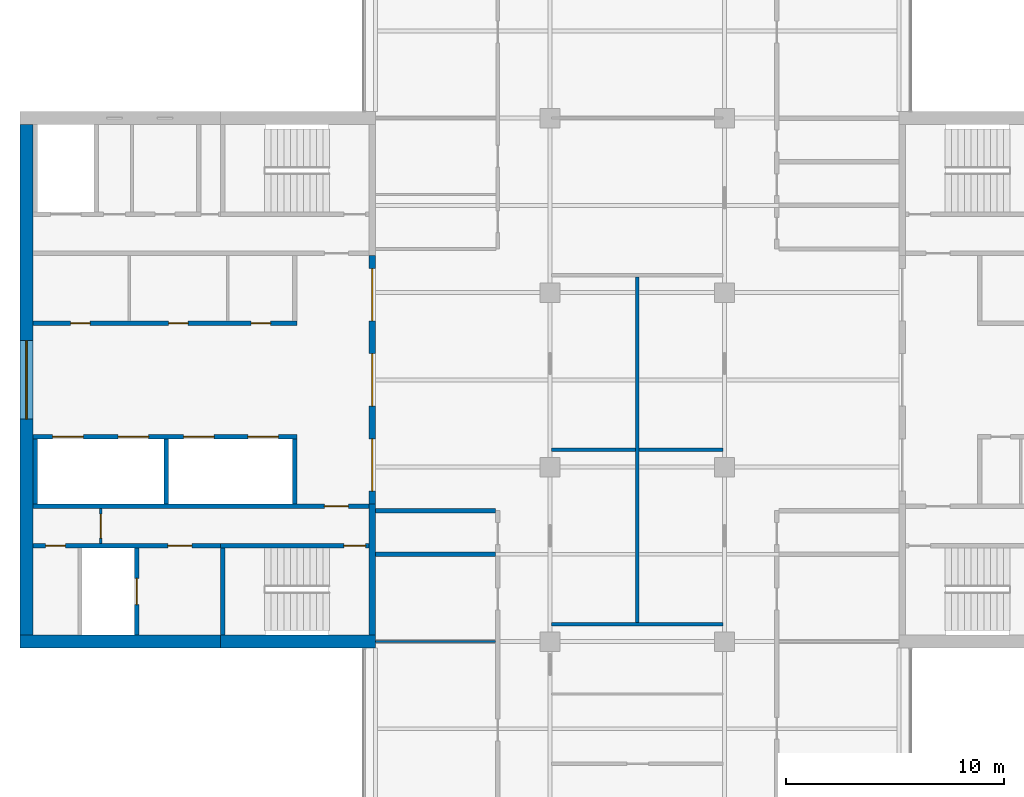
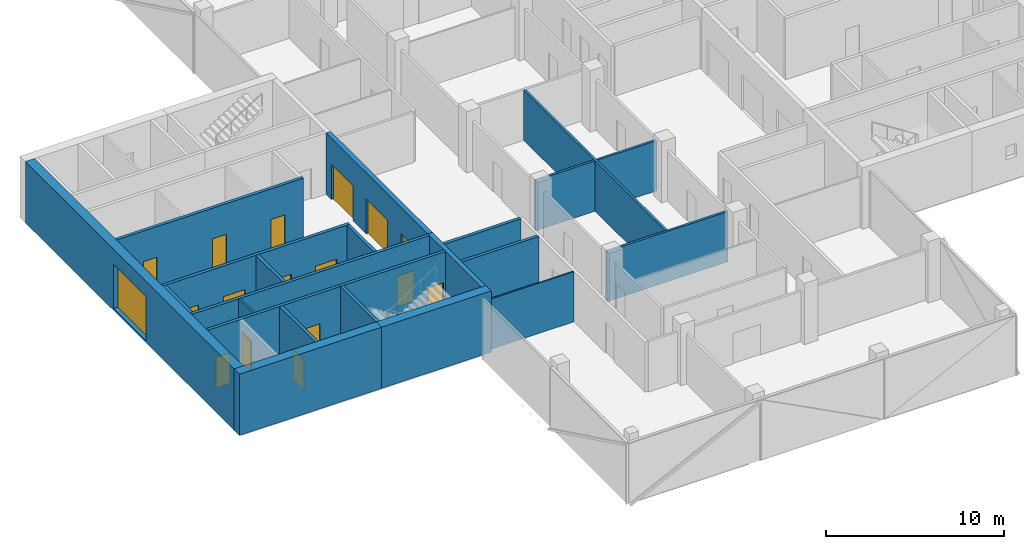
# One storey, part 9 of 16: 23 walls, 16 doors, 1 window, 17 openings.
"""IFC4 building model written with IfcOpenShell, lengths in metres."""

from ifc_helpers import new_model, si_unit, direction, frame, frame_2d, origin, place, context, subcontext, project, spatial, rectangle, extrude, material, layer, layer_set, constituent, constituent_set, type_object, element, fill, save


model = new_model("IFC4")

# Units and contexts
model_context = context("Model", 3, precision=1e-05, world=origin(), true_north=direction((0.0, 1.0)))
body_context = subcontext(model_context, "Body", "Model", "MODEL_VIEW")
ifc_project = project(units=[si_unit("LENGTHUNIT", "METRE"), si_unit("AREAUNIT", "SQUARE_METRE"), si_unit("VOLUMEUNIT", "CUBIC_METRE"), si_unit("PLANEANGLEUNIT", "RADIAN"), si_unit("MASSUNIT", "GRAM", prefix="KILO")], contexts=[model_context])

# Site, building, storey
site_placement = place(None, origin())
site = spatial("IfcSite", under=ifc_project, at=site_placement, CompositionType="ELEMENT")
building_placement = place(site_placement, origin())
building = spatial("IfcBuilding", under=site, at=building_placement, Name="Crosswind Convention Tower", CompositionType="ELEMENT")
storey_placement = place(building_placement, frame((0.0, 0.0, 216.699951171875)))
storey = spatial("IfcBuildingStorey", under=building, at=storey_placement, Name="L46", CompositionType="ELEMENT", Elevation=216.699951171875)

# Walls
ifc_material_1 = material(Name="Concrete blockwork", Category="masonry")
ifc_layer_1 = layer(ifc_material_1, 0.199951171875)
ifc_layer_set_1 = layer_set([ifc_layer_1], Name="COMPARTMENT WALL 200 BLOCKWORK")
wall_type_1 = type_object("IfcWallType", Name="COMPARTMENT WALL 200 BLOCKWORK", PredefinedType="SOLIDWALL", material=ifc_layer_set_1)
for number, where, z_axis, x_axis, name in (
    (1, (113.0, 92.0, 0.0), (0.0, 0.0, 1.0), (1.0, 0.0, 0.0), "Compartment wall WT42"),
    (2, (113.0, 94.0, 0.0), (0.0, 0.0, 1.0), (1.0, 0.0, 0.0), "Compartment wall WT42"),
):
    element("IfcWall", number, at=place(storey_placement, frame(where, z_axis=z_axis, x_axis=x_axis)), inside=storey, type_object=wall_type_1, Name=name, PredefinedType="SOLIDWALL", context=body_context, shape_type="SweptSolid", body=[
        extrude(rectangle(XDim=5.5, YDim=0.199951171875, at=frame_2d((2.75, 0.0))), origin(), (0.0, 0.0, 1.0), 3.43994140625),
    ])

# Wall, openings, doors
ifc_material_2 = material(Name="Concrete C50/60", Category="concrete")
ifc_layer_2 = layer(ifc_material_2, 0.300048828125)
ifc_layer_set_2 = layer_set([ifc_layer_2], Name="Concrete C50/60")
wall_type_2 = type_object("IfcWallType", Name="Concrete inner core wall 300", PredefinedType="SHEAR", material=ifc_layer_set_2)
wall_1_placement = place(storey_placement, frame((112.85009765625, 105.699951171875, 0.0), z_axis=(0.0, 0.0, 1.0), x_axis=(0.0, -1.0, 0.0)))
wall_1 = element("IfcWall", 3, at=wall_1_placement, inside=storey, type_object=wall_type_2, Name="Wall SCR W L46", PredefinedType="SHEAR", context=body_context, shape_type="SweptSolid", body=[
    extrude(rectangle(XDim=11.39990234375, YDim=0.300048828125, at=frame_2d((5.699951171875, 0.0))), origin(), (0.0, 0.0, 1.0), 4.199951171875),
])
opening_1_placement = place(wall_1_placement, frame((0.60009765625, 0.0, 0.0)))
opening_1 = element("IfcOpeningElement", 4, at=opening_1_placement, cuts=wall_1, Name="Opening D100", PredefinedType="OPENING", context=body_context, shape_type="SweptSolid", body=[
    extrude(rectangle(XDim=2.39990234375, YDim=2.39990234375, at=frame_2d((1.199951171875, 1.199951171875))), frame((0.0, 0.159912109375, 0.0), z_axis=(0.0, -1.0, 0.0), x_axis=(1.0, 0.0, 0.0)), (0.0, 0.0, 1.0), 0.320068359375),
])
opening_2_placement = place(wall_1_placement, frame((4.5, 0.0, 0.0)))
opening_2 = element("IfcOpeningElement", 5, at=opening_2_placement, cuts=wall_1, Name="Opening D100", PredefinedType="OPENING", context=body_context, shape_type="SweptSolid", body=[
    extrude(rectangle(XDim=2.39990234375, YDim=2.39990234375, at=frame_2d((1.199951171875, 1.199951171875))), frame((0.0, 0.159912109375, 0.0), z_axis=(0.0, -1.0, 0.0), x_axis=(1.0, 0.0, 0.0)), (0.0, 0.0, 1.0), 0.320068359375),
])
opening_3_placement = place(wall_1_placement, frame((8.39990234375, 0.0, 0.0)))
opening_3 = element("IfcOpeningElement", 6, at=opening_3_placement, cuts=wall_1, Name="Opening D100", PredefinedType="OPENING", context=body_context, shape_type="SweptSolid", body=[
    extrude(rectangle(XDim=2.39990234375, YDim=2.39990234375, at=frame_2d((1.199951171875, 1.199951171875))), frame((0.0, 0.159912109375, 0.0), z_axis=(0.0, -1.0, 0.0), x_axis=(1.0, 0.0, 0.0)), (0.0, 0.0, 1.0), 0.320068359375),
])
ifc_material_3 = material(Name="Steel fire door with glazed vision panels", Category="steel")
door_type_1 = type_object("IfcDoorType", Name="Fire-rated double door 2400x2400", OperationType="DOUBLE_DOOR_SINGLE_SWING", PredefinedType="DOOR", material=ifc_material_3)
door_1_placement = place(opening_1_placement, origin())
door_1 = element("IfcDoor", 7, at=door_1_placement, inside=storey, type_object=door_type_1, Name="Lobby door 1 L46", ObjectType="D100", OperationType="DOUBLE_DOOR_SINGLE_SWING", OverallHeight=2.39990234375, OverallWidth=2.39990234375, PredefinedType="DOOR", context=body_context, shape_type="SweptSolid", body=[
    extrude(rectangle(XDim=2.39990234375, YDim=2.39990234375, at=frame_2d((1.199951171875, 1.199951171875))), frame((0.0, 0.02490234375, 0.0), z_axis=(0.0, -1.0, 0.0), x_axis=(1.0, 0.0, 0.0)), (0.0, 0.0, 1.0), 0.050048828125),
])
fill(opening_1, door_1)
door_2_placement = place(opening_2_placement, origin())
door_2 = element("IfcDoor", 8, at=door_2_placement, inside=storey, type_object=door_type_1, Name="Lobby door 2 L46", ObjectType="D100", OperationType="DOUBLE_DOOR_SINGLE_SWING", OverallHeight=2.39990234375, OverallWidth=2.39990234375, PredefinedType="DOOR", context=body_context, shape_type="SweptSolid", body=[
    extrude(rectangle(XDim=2.39990234375, YDim=2.39990234375, at=frame_2d((1.199951171875, 1.199951171875))), frame((0.0, 0.02490234375, 0.0), z_axis=(0.0, -1.0, 0.0), x_axis=(1.0, 0.0, 0.0)), (0.0, 0.0, 1.0), 0.050048828125),
])
fill(opening_2, door_2)
door_3_placement = place(opening_3_placement, origin())
door_3 = element("IfcDoor", 9, at=door_3_placement, inside=storey, type_object=door_type_1, Name="Lobby door 3 L46", ObjectType="D100", OperationType="DOUBLE_DOOR_SINGLE_SWING", OverallHeight=2.39990234375, OverallWidth=2.39990234375, PredefinedType="DOOR", context=body_context, shape_type="SweptSolid", body=[
    extrude(rectangle(XDim=2.39990234375, YDim=2.39990234375, at=frame_2d((1.199951171875, 1.199951171875))), frame((0.0, 0.02490234375, 0.0), z_axis=(0.0, -1.0, 0.0), x_axis=(1.0, 0.0, 0.0)), (0.0, 0.0, 1.0), 0.050048828125),
])
fill(opening_3, door_3)

# Walls
wall_2_placement = place(storey_placement, frame((112.85009765625, 94.300048828125, 0.0), z_axis=(0.0, 0.0, 1.0), x_axis=(0.0, -1.0, 0.0)))
element("IfcWall", 10, at=wall_2_placement, inside=storey, type_object=wall_type_2, Name="Wall EP W L46", PredefinedType="SHEAR", context=body_context, shape_type="SweptSolid", body=[
    extrude(rectangle(XDim=6.0, YDim=0.300048828125, at=frame_2d((3.0, 0.0))), origin(), (0.0, 0.0, 1.0), 4.199951171875),
])
ifc_layer_3 = layer(ifc_material_2, 0.199951171875)
ifc_layer_set_3 = layer_set([ifc_layer_3], Name="Concrete C50/60")
wall_type_3 = type_object("IfcWallType", Name="Concrete shaft and stair wall 200", PredefinedType="SHEAR", material=ifc_layer_set_3)
for number, where, z_axis, x_axis, name in (
    (11, (109.300048828125, 97.300048828125, 0.0), (0.0, 0.0, 1.0), (0.0, -1.0, 0.0), "Wall RPEND W L46"),
    (12, (103.39990234375, 97.300048828125, 0.0), (0.0, 0.0, 1.0), (0.0, -1.0, 0.0), "Wall RPSEP W L46"),
    (13, (97.39990234375, 97.300048828125, 0.0), (0.0, 0.0, 1.0), (0.0, -1.0, 0.0), "Wall RPEAST W L46"),
):
    element("IfcWall", number, at=place(storey_placement, frame(where, z_axis=z_axis, x_axis=x_axis)), inside=storey, type_object=wall_type_3, Name=name, PredefinedType="SHEAR", context=body_context, shape_type="SweptSolid", body=[
        extrude(rectangle(XDim=3.0, YDim=0.199951171875, at=frame_2d((1.5, 0.0))), origin(), (0.0, 0.0, 1.0), 4.199951171875),
    ])

# Wall, openings, doors
wall_3_placement = place(storey_placement, frame((109.39990234375, 97.39990234375, 0.0), z_axis=(0.0, 0.0, 1.0), x_axis=(-1.0, 0.0, 0.0)))
wall_3 = element("IfcWall", 14, at=wall_3_placement, inside=storey, type_object=wall_type_3, Name="Wall RPFRONT W L46", PredefinedType="SHEAR", context=body_context, shape_type="SweptSolid", body=[
    extrude(rectangle(XDim=12.099853515625, YDim=0.199951171875, at=frame_2d((6.0498046875, 0.0))), origin(), (0.0, 0.0, 1.0), 4.199951171875),
])
opening_4_placement = place(wall_3_placement, frame((0.85009765625, 0.0, 0.0)))
opening_4 = element("IfcOpeningElement", 15, at=opening_4_placement, cuts=wall_3, Name="Opening LD2", PredefinedType="OPENING", context=body_context, shape_type="SweptSolid", body=[
    extrude(rectangle(XDim=1.39990234375, YDim=2.10009765625, at=frame_2d((0.699951171875, 1.050048828125))), frame((0.0, 0.10986328125, 0.0), z_axis=(0.0, -1.0, 0.0), x_axis=(1.0, 0.0, 0.0)), (0.0, 0.0, 1.0), 0.219970703125),
])
opening_5_placement = place(wall_3_placement, frame((3.800048828125, 0.0, 0.0)))
opening_5 = element("IfcOpeningElement", 16, at=opening_5_placement, cuts=wall_3, Name="Opening LD2", PredefinedType="OPENING", context=body_context, shape_type="SweptSolid", body=[
    extrude(rectangle(XDim=1.39990234375, YDim=2.10009765625, at=frame_2d((0.699951171875, 1.050048828125))), frame((0.0, 0.10986328125, 0.0), z_axis=(0.0, -1.0, 0.0), x_axis=(1.0, 0.0, 0.0)), (0.0, 0.0, 1.0), 0.219970703125),
])
opening_6_placement = place(wall_3_placement, frame((6.800048828125, 0.0, 0.0)))
opening_6 = element("IfcOpeningElement", 17, at=opening_6_placement, cuts=wall_3, Name="Opening LD2", PredefinedType="OPENING", context=body_context, shape_type="SweptSolid", body=[
    extrude(rectangle(XDim=1.39990234375, YDim=2.10009765625, at=frame_2d((0.699951171875, 1.050048828125))), frame((0.0, 0.10986328125, 0.0), z_axis=(0.0, -1.0, 0.0), x_axis=(1.0, 0.0, 0.0)), (0.0, 0.0, 1.0), 0.219970703125),
])
opening_7_placement = place(wall_3_placement, frame((9.800048828125, 0.0, 0.0)))
opening_7 = element("IfcOpeningElement", 18, at=opening_7_placement, cuts=wall_3, Name="Opening LD2", PredefinedType="OPENING", context=body_context, shape_type="SweptSolid", body=[
    extrude(rectangle(XDim=1.39990234375, YDim=2.10009765625, at=frame_2d((0.699951171875, 1.050048828125))), frame((0.0, 0.10986328125, 0.0), z_axis=(0.0, -1.0, 0.0), x_axis=(1.0, 0.0, 0.0)), (0.0, 0.0, 1.0), 0.219970703125),
])
ifc_material_4 = material(Name="Stainless steel", Category="steel")
door_type_2 = type_object("IfcDoorType", Name="Lift landing door 1400x2100", OperationType="DOUBLE_DOOR_SLIDING", PredefinedType="DOOR", material=ifc_material_4)
door_4_placement = place(opening_4_placement, origin())
door_4 = element("IfcDoor", 19, at=door_4_placement, inside=storey, type_object=door_type_2, Name="Landing door HR1 L46", ObjectType="LD2", OperationType="DOUBLE_DOOR_SLIDING", OverallHeight=2.10009765625, OverallWidth=1.39990234375, PredefinedType="DOOR", context=body_context, shape_type="SweptSolid", body=[
    extrude(rectangle(XDim=1.39990234375, YDim=2.10009765625, at=frame_2d((0.699951171875, 1.050048828125))), frame((0.0, 0.02490234375, 0.0), z_axis=(0.0, -1.0, 0.0), x_axis=(1.0, 0.0, 0.0)), (0.0, 0.0, 1.0), 0.050048828125),
])
fill(opening_4, door_4)
door_5_placement = place(opening_5_placement, origin())
door_5 = element("IfcDoor", 20, at=door_5_placement, inside=storey, type_object=door_type_2, Name="Landing door HR2 L46", ObjectType="LD2", OperationType="DOUBLE_DOOR_SLIDING", OverallHeight=2.10009765625, OverallWidth=1.39990234375, PredefinedType="DOOR", context=body_context, shape_type="SweptSolid", body=[
    extrude(rectangle(XDim=1.39990234375, YDim=2.10009765625, at=frame_2d((0.699951171875, 1.050048828125))), frame((0.0, 0.02490234375, 0.0), z_axis=(0.0, -1.0, 0.0), x_axis=(1.0, 0.0, 0.0)), (0.0, 0.0, 1.0), 0.050048828125),
])
fill(opening_5, door_5)
door_6_placement = place(opening_6_placement, origin())
door_6 = element("IfcDoor", 21, at=door_6_placement, inside=storey, type_object=door_type_2, Name="Landing door HR3 L46", ObjectType="LD2", OperationType="DOUBLE_DOOR_SLIDING", OverallHeight=2.10009765625, OverallWidth=1.39990234375, PredefinedType="DOOR", context=body_context, shape_type="SweptSolid", body=[
    extrude(rectangle(XDim=1.39990234375, YDim=2.10009765625, at=frame_2d((0.699951171875, 1.050048828125))), frame((0.0, 0.02490234375, 0.0), z_axis=(0.0, -1.0, 0.0), x_axis=(1.0, 0.0, 0.0)), (0.0, 0.0, 1.0), 0.050048828125),
])
fill(opening_6, door_6)
door_7_placement = place(opening_7_placement, origin())
door_7 = element("IfcDoor", 22, at=door_7_placement, inside=storey, type_object=door_type_2, Name="Landing door HR4 L46", ObjectType="LD2", OperationType="DOUBLE_DOOR_SLIDING", OverallHeight=2.10009765625, OverallWidth=1.39990234375, PredefinedType="DOOR", context=body_context, shape_type="SweptSolid", body=[
    extrude(rectangle(XDim=1.39990234375, YDim=2.10009765625, at=frame_2d((0.699951171875, 1.050048828125))), frame((0.0, 0.02490234375, 0.0), z_axis=(0.0, -1.0, 0.0), x_axis=(1.0, 0.0, 0.0)), (0.0, 0.0, 1.0), 0.050048828125),
])
fill(opening_7, door_7)

wall_4_placement = place(storey_placement, frame((109.39990234375, 102.60009765625, 0.0), z_axis=(0.0, 0.0, 1.0), x_axis=(-1.0, 0.0, 0.0)))
wall_4 = element("IfcWall", 23, at=wall_4_placement, inside=storey, type_object=wall_type_3, Name="Wall RMFRONT W L46", PredefinedType="SHEAR", context=body_context, shape_type="SweptSolid", body=[
    extrude(rectangle(XDim=12.099853515625, YDim=0.199951171875, at=frame_2d((6.0498046875, 0.0))), origin(), (0.0, 0.0, 1.0), 4.199951171875),
])
opening_8_placement = place(wall_4_placement, frame((1.206298828125, 0.0, 0.0)))
opening_8 = element("IfcOpeningElement", 24, at=opening_8_placement, cuts=wall_4, Name="Opening D106", PredefinedType="OPENING", context=body_context, shape_type="SweptSolid", body=[
    extrude(rectangle(XDim=0.89990234375, YDim=2.10009765625, at=frame_2d((0.449951171875, 1.050048828125))), frame((0.0, 0.10986328125, 0.0), z_axis=(0.0, -1.0, 0.0), x_axis=(1.0, 0.0, 0.0)), (0.0, 0.0, 1.0), 0.219970703125),
])
opening_9_placement = place(wall_4_placement, frame((4.986083984375, 0.0, 0.0)))
opening_9 = element("IfcOpeningElement", 25, at=opening_9_placement, cuts=wall_4, Name="Opening D106", PredefinedType="OPENING", context=body_context, shape_type="SweptSolid", body=[
    extrude(rectangle(XDim=0.89990234375, YDim=2.10009765625, at=frame_2d((0.449951171875, 1.050048828125))), frame((0.0, 0.10986328125, 0.0), z_axis=(0.0, -1.0, 0.0), x_axis=(1.0, 0.0, 0.0)), (0.0, 0.0, 1.0), 0.219970703125),
])
opening_10_placement = place(wall_4_placement, frame((9.479736328125, 0.0, 0.0)))
opening_10 = element("IfcOpeningElement", 26, at=opening_10_placement, cuts=wall_4, Name="Opening D106", PredefinedType="OPENING", context=body_context, shape_type="SweptSolid", body=[
    extrude(rectangle(XDim=0.89990234375, YDim=2.10009765625, at=frame_2d((0.449951171875, 1.050048828125))), frame((0.0, 0.10986328125, 0.0), z_axis=(0.0, -1.0, 0.0), x_axis=(1.0, 0.0, 0.0)), (0.0, 0.0, 1.0), 0.219970703125),
])
ifc_material_5 = material(Name="Timber door", Category="wood")
door_type_3 = type_object("IfcDoorType", Name="Single leaf door 900x2100", OperationType="NOTDEFINED", PredefinedType="DOOR", material=ifc_material_5)
door_8_placement = place(opening_8_placement, frame((0.89990234375, 0.0, 0.0), z_axis=(0.0, 0.0, 1.0), x_axis=(-1.0, 0.0, 0.0)))
door_8 = element("IfcDoor", 27, at=door_8_placement, inside=storey, type_object=door_type_3, Name="Door to copy and print room L46", ObjectType="D106", OperationType="SINGLE_SWING_LEFT", OverallHeight=2.10009765625, OverallWidth=0.89990234375, PredefinedType="DOOR", context=body_context, shape_type="SweptSolid", body=[
    extrude(rectangle(XDim=0.89990234375, YDim=2.10009765625, at=frame_2d((0.449951171875, 1.050048828125))), frame((0.0, 0.02490234375, 0.0), z_axis=(0.0, -1.0, 0.0), x_axis=(1.0, 0.0, 0.0)), (0.0, 0.0, 1.0), 0.050048828125),
])
fill(opening_8, door_8)
door_9_placement = place(opening_9_placement, frame((0.89990234375, 0.0, 0.0), z_axis=(0.0, 0.0, 1.0), x_axis=(-1.0, 0.0, 0.0)))
door_9 = element("IfcDoor", 28, at=door_9_placement, inside=storey, type_object=door_type_3, Name="Door to meeting room L46", ObjectType="D106", OperationType="SINGLE_SWING_LEFT", OverallHeight=2.10009765625, OverallWidth=0.89990234375, PredefinedType="DOOR", context=body_context, shape_type="SweptSolid", body=[
    extrude(rectangle(XDim=0.89990234375, YDim=2.10009765625, at=frame_2d((0.449951171875, 1.050048828125))), frame((0.0, 0.02490234375, 0.0), z_axis=(0.0, -1.0, 0.0), x_axis=(1.0, 0.0, 0.0)), (0.0, 0.0, 1.0), 0.050048828125),
])
fill(opening_9, door_9)
door_10_placement = place(opening_10_placement, frame((0.89990234375, 0.0, 0.0), z_axis=(0.0, 0.0, 1.0), x_axis=(-1.0, 0.0, 0.0)))
door_10 = element("IfcDoor", 29, at=door_10_placement, inside=storey, type_object=door_type_3, Name="Door to pantry L46", ObjectType="D106", OperationType="SINGLE_SWING_LEFT", OverallHeight=2.10009765625, OverallWidth=0.89990234375, PredefinedType="DOOR", context=body_context, shape_type="SweptSolid", body=[
    extrude(rectangle(XDim=0.89990234375, YDim=2.10009765625, at=frame_2d((0.449951171875, 1.050048828125))), frame((0.0, 0.02490234375, 0.0), z_axis=(0.0, -1.0, 0.0), x_axis=(1.0, 0.0, 0.0)), (0.0, 0.0, 1.0), 0.050048828125),
])
fill(opening_10, door_10)

# Wall, opening, door
wall_5_placement = place(storey_placement, frame((112.699951171875, 94.199951171875, 0.0), z_axis=(0.0, 0.0, 1.0), x_axis=(-1.0, 0.0, 0.0)))
wall_5 = element("IfcWall", 30, at=wall_5_placement, inside=storey, type_object=wall_type_3, Name="Wall HP W L46", PredefinedType="SHEAR", context=body_context, shape_type="SweptSolid", body=[
    extrude(rectangle(XDim=15.39990234375, YDim=0.199951171875, at=frame_2d((7.699951171875, 0.0))), origin(), (0.0, 0.0, 1.0), 4.199951171875),
])
opening_11_placement = place(wall_5_placement, frame((0.949951171875, 0.0, 0.0)))
opening_11 = element("IfcOpeningElement", 31, at=opening_11_placement, cuts=wall_5, Name="Opening D104", PredefinedType="OPENING", context=body_context, shape_type="SweptSolid", body=[
    extrude(rectangle(XDim=1.10009765625, YDim=2.10009765625, at=frame_2d((0.550048828125, 1.050048828125))), frame((0.0, 0.10986328125, 0.0), z_axis=(0.0, -1.0, 0.0), x_axis=(1.0, 0.0, 0.0)), (0.0, 0.0, 1.0), 0.219970703125),
])
ifc_material_6 = material(Name="Steel fire door", Category="steel")
door_type_4 = type_object("IfcDoorType", Name="Fire-rated single door 1100x2100", OperationType="NOTDEFINED", PredefinedType="DOOR", material=ifc_material_6)
door_11_placement = place(opening_11_placement, origin())
door_11 = element("IfcDoor", 32, at=door_11_placement, inside=storey, type_object=door_type_4, Name="Corridor door L46", ObjectType="D104", OperationType="SINGLE_SWING_LEFT", OverallHeight=2.10009765625, OverallWidth=1.10009765625, PredefinedType="DOOR", context=body_context, shape_type="SweptSolid", body=[
    extrude(rectangle(XDim=1.10009765625, YDim=2.10009765625, at=frame_2d((0.550048828125, 1.050048828125))), frame((0.0, 0.02490234375, 0.0), z_axis=(0.0, -1.0, 0.0), x_axis=(1.0, 0.0, 0.0)), (0.0, 0.0, 1.0), 0.050048828125),
])
fill(opening_11, door_11)

# Wall
wall_6_placement = place(storey_placement, frame((106.0, 92.300048828125, 0.0), z_axis=(0.0, 0.0, 1.0), x_axis=(0.0, -1.0, 0.0)))
element("IfcWall", 33, at=wall_6_placement, inside=storey, type_object=wall_type_3, Name="Wall PSE W L46", PredefinedType="SHEAR", context=body_context, shape_type="SweptSolid", body=[
    extrude(rectangle(XDim=4.0, YDim=0.199951171875, at=frame_2d((2.0, 0.0))), origin(), (0.0, 0.0, 1.0), 4.199951171875),
])

# Wall, opening, door
wall_7_placement = place(storey_placement, frame((102.050048828125, 92.300048828125, 0.0), z_axis=(0.0, 0.0, 1.0), x_axis=(0.0, -1.0, 0.0)))
wall_7 = element("IfcWall", 34, at=wall_7_placement, inside=storey, type_object=wall_type_3, Name="Wall PFLW W L46", PredefinedType="SHEAR", context=body_context, shape_type="SweptSolid", body=[
    extrude(rectangle(XDim=4.0, YDim=0.199951171875, at=frame_2d((2.0, 0.0))), origin(), (0.0, 0.0, 1.0), 4.199951171875),
])
opening_12_placement = place(wall_7_placement, frame((1.39990234375, 0.0, 0.0)))
opening_12 = element("IfcOpeningElement", 35, at=opening_12_placement, cuts=wall_7, Name="Opening LD1", PredefinedType="OPENING", context=body_context, shape_type="SweptSolid", body=[
    extrude(rectangle(XDim=1.199951171875, YDim=2.10009765625, at=frame_2d((0.60009765625, 1.050048828125))), frame((0.0, 0.10986328125, 0.0), z_axis=(0.0, -1.0, 0.0), x_axis=(1.0, 0.0, 0.0)), (0.0, 0.0, 1.0), 0.219970703125),
])
door_type_5 = type_object("IfcDoorType", Name="Lift landing door 1200x2100", OperationType="DOUBLE_DOOR_SLIDING", PredefinedType="DOOR", material=ifc_material_4)
door_12_placement = place(opening_12_placement, origin())
door_12 = element("IfcDoor", 36, at=door_12_placement, inside=storey, type_object=door_type_5, Name="Landing door FF2 L46", ObjectType="LD1", OperationType="DOUBLE_DOOR_SLIDING", OverallHeight=2.10009765625, OverallWidth=1.199951171875, PredefinedType="DOOR", context=body_context, shape_type="SweptSolid", body=[
    extrude(rectangle(XDim=1.199951171875, YDim=2.10009765625, at=frame_2d((0.60009765625, 1.050048828125))), frame((0.0, 0.02490234375, 0.0), z_axis=(0.0, -1.0, 0.0), x_axis=(1.0, 0.0, 0.0)), (0.0, 0.0, 1.0), 0.050048828125),
])
fill(opening_12, door_12)

wall_8_placement = place(storey_placement, frame((112.699951171875, 92.39990234375, 0.0), z_axis=(0.0, 0.0, 1.0), x_axis=(-1.0, 0.0, 0.0)))
wall_8 = element("IfcWall", 37, at=wall_8_placement, inside=storey, type_object=wall_type_3, Name="Wall PCW W L46", PredefinedType="SHEAR", context=body_context, shape_type="SweptSolid", body=[
    extrude(rectangle(XDim=6.800048828125, YDim=0.199951171875, at=frame_2d((3.39990234375, 0.0))), origin(), (0.0, 0.0, 1.0), 4.199951171875),
])
opening_13_placement = place(wall_8_placement, frame((0.14990234375, 0.0, 0.0)))
opening_13 = element("IfcOpeningElement", 38, at=opening_13_placement, cuts=wall_8, Name="Opening D103", PredefinedType="OPENING", context=body_context, shape_type="SweptSolid", body=[
    extrude(rectangle(XDim=1.0, YDim=2.10009765625, at=frame_2d((0.5, 1.050048828125))), frame((0.0, 0.10986328125, 0.0), z_axis=(0.0, -1.0, 0.0), x_axis=(1.0, 0.0, 0.0)), (0.0, 0.0, 1.0), 0.219970703125),
])
door_type_6 = type_object("IfcDoorType", Name="Fire-rated single door 1000x2100", OperationType="NOTDEFINED", PredefinedType="DOOR", material=ifc_material_6)
door_13_placement = place(opening_13_placement, origin())
door_13 = element("IfcDoor", 39, at=door_13_placement, inside=storey, type_object=door_type_6, Name="Stair ST3 door L46", ObjectType="D103", OperationType="SINGLE_SWING_LEFT", OverallHeight=2.10009765625, OverallWidth=1.0, PredefinedType="DOOR", context=body_context, shape_type="SweptSolid", body=[
    extrude(rectangle(XDim=1.0, YDim=2.10009765625, at=frame_2d((0.5, 1.050048828125))), frame((0.0, 0.02490234375, 0.0), z_axis=(0.0, -1.0, 0.0), x_axis=(1.0, 0.0, 0.0)), (0.0, 0.0, 1.0), 0.050048828125),
])
fill(opening_13, door_13)

# Wall, openings, doors
wall_9_placement = place(storey_placement, frame((105.89990234375, 92.39990234375, 0.0), z_axis=(0.0, 0.0, 1.0), x_axis=(-1.0, 0.0, 0.0)))
wall_9 = element("IfcWall", 40, at=wall_9_placement, inside=storey, type_object=wall_type_3, Name="Wall PCX W L46", PredefinedType="SHEAR", context=body_context, shape_type="SweptSolid", body=[
    extrude(rectangle(XDim=8.599853515625, YDim=0.199951171875, at=frame_2d((4.2998046875, 0.0))), origin(), (0.0, 0.0, 1.0), 4.199951171875),
])
opening_14_placement = place(wall_9_placement, frame((1.324951171875, 0.0, 0.0)))
opening_14 = element("IfcOpeningElement", 41, at=opening_14_placement, cuts=wall_9, Name="Opening D104", PredefinedType="OPENING", context=body_context, shape_type="SweptSolid", body=[
    extrude(rectangle(XDim=1.10009765625, YDim=2.10009765625, at=frame_2d((0.550048828125, 1.050048828125))), frame((0.0, 0.10986328125, 0.0), z_axis=(0.0, -1.0, 0.0), x_axis=(1.0, 0.0, 0.0)), (0.0, 0.0, 1.0), 0.219970703125),
])
opening_15_placement = place(wall_9_placement, frame((7.125, 0.0, 0.0)))
opening_15 = element("IfcOpeningElement", 42, at=opening_15_placement, cuts=wall_9, Name="Opening D106", PredefinedType="OPENING", context=body_context, shape_type="SweptSolid", body=[
    extrude(rectangle(XDim=0.89990234375, YDim=2.10009765625, at=frame_2d((0.449951171875, 1.050048828125))), frame((0.0, 0.10986328125, 0.0), z_axis=(0.0, -1.0, 0.0), x_axis=(1.0, 0.0, 0.0)), (0.0, 0.0, 1.0), 0.219970703125),
])
door_14_placement = place(opening_14_placement, origin())
door_14 = element("IfcDoor", 43, at=door_14_placement, inside=storey, type_object=door_type_4, Name="Fire-fighting lobby FF2 door L46", ObjectType="D104", OperationType="SINGLE_SWING_RIGHT", OverallHeight=2.10009765625, OverallWidth=1.10009765625, PredefinedType="DOOR", context=body_context, shape_type="SweptSolid", body=[
    extrude(rectangle(XDim=1.10009765625, YDim=2.10009765625, at=frame_2d((0.550048828125, 1.050048828125))), frame((0.0, 0.02490234375, 0.0), z_axis=(0.0, -1.0, 0.0), x_axis=(1.0, 0.0, 0.0)), (0.0, 0.0, 1.0), 0.050048828125),
])
fill(opening_14, door_14)
door_15_placement = place(opening_15_placement, origin())
door_15 = element("IfcDoor", 44, at=door_15_placement, inside=storey, type_object=door_type_3, Name="Door to telecoms room L46", ObjectType="D106", OperationType="SINGLE_SWING_RIGHT", OverallHeight=2.10009765625, OverallWidth=0.89990234375, PredefinedType="DOOR", context=body_context, shape_type="SweptSolid", body=[
    extrude(rectangle(XDim=0.89990234375, YDim=2.10009765625, at=frame_2d((0.449951171875, 1.050048828125))), frame((0.0, 0.02490234375, 0.0), z_axis=(0.0, -1.0, 0.0), x_axis=(1.0, 0.0, 0.0)), (0.0, 0.0, 1.0), 0.050048828125),
])
fill(opening_15, door_15)

# Wall, opening, door
ifc_material_7 = material(Name="Gypsum plasterboard partition", Category="gypsum")
ifc_layer_4 = layer(ifc_material_7, 0.125)
ifc_layer_set_4 = layer_set([ifc_layer_4], Name="Drywall partition wall 125")
wall_type_4 = type_object("IfcWallType", Name="Drywall partition wall 125", PredefinedType="PARTITIONING", material=ifc_layer_set_4)
wall_10_placement = place(storey_placement, frame((100.39990234375, 94.10009765625, 0.0), z_axis=(0.0, 0.0, 1.0), x_axis=(0.0, -1.0, 0.0)))
wall_10 = element("IfcWall", 45, at=wall_10_placement, inside=storey, type_object=wall_type_4, Name="Wall PXC1 W L46", PredefinedType="PARTITIONING", context=body_context, shape_type="SweptSolid", body=[
    extrude(rectangle(XDim=1.60009765625, YDim=0.125, at=frame_2d((0.800048828125, 0.0))), origin(), (0.0, 0.0, 1.0), 4.199951171875),
])
opening_16_placement = place(wall_10_placement, frame((0.25, 0.0, 0.0)))
opening_16 = element("IfcOpeningElement", 46, at=opening_16_placement, cuts=wall_10, Name="Opening D104", PredefinedType="OPENING", context=body_context, shape_type="SweptSolid", body=[
    extrude(rectangle(XDim=1.10009765625, YDim=2.10009765625, at=frame_2d((0.550048828125, 1.050048828125))), frame((0.0, 0.072509765625, 0.0), z_axis=(0.0, -1.0, 0.0), x_axis=(1.0, 0.0, 0.0)), (0.0, 0.0, 1.0), 0.14501953125),
])
door_16_placement = place(opening_16_placement, origin())
door_16 = element("IfcDoor", 47, at=door_16_placement, inside=storey, type_object=door_type_4, Name="Corridor smoke door L46", ObjectType="D104", OperationType="SINGLE_SWING_RIGHT", OverallHeight=2.10009765625, OverallWidth=1.10009765625, PredefinedType="DOOR", context=body_context, shape_type="SweptSolid", body=[
    extrude(rectangle(XDim=1.10009765625, YDim=2.10009765625, at=frame_2d((0.550048828125, 1.050048828125))), frame((0.0, 0.02490234375, 0.0), z_axis=(0.0, -1.0, 0.0), x_axis=(1.0, 0.0, 0.0)), (0.0, 0.0, 1.0), 0.050048828125),
])
fill(opening_16, door_16)

# Walls
ifc_material_8 = material(Name="Plasterboard partition", Category="gypsum")
ifc_layer_5 = layer(ifc_material_8, 0.10009765625)
ifc_layer_set_5 = layer_set([ifc_layer_5], Name="PARTITION 100 METAL STUD")
wall_type_5 = type_object("IfcWallType", Name="PARTITION 100 METAL STUD", PredefinedType="PARTITIONING", material=ifc_layer_set_5)
wall_11_placement = place(storey_placement, frame((113.0, 88.0, 0.0), z_axis=(0.0, 0.0, 1.0), x_axis=(1.0, 0.0, 0.0)))
element("IfcWall", 48, at=wall_11_placement, inside=storey, type_object=wall_type_5, Name="Partition wall WT40", PredefinedType="PARTITIONING", context=body_context, shape_type="SweptSolid", body=[
    extrude(rectangle(XDim=5.5, YDim=0.10009765625, at=frame_2d((2.75, 0.0))), origin(), (0.0, 0.0, 1.0), 3.43994140625),
])
ifc_material_9 = material(Name="Fire-board partition with mineral wool", Category="gypsum")
ifc_layer_6 = layer(ifc_material_9, 0.14990234375)
ifc_layer_set_6 = layer_set([ifc_layer_6], Name="TENANCY WALL 150 TWO-HOUR BOARD")
wall_type_6 = type_object("IfcWallType", Name="TENANCY WALL 150 TWO-HOUR BOARD", PredefinedType="PARTITIONING", material=ifc_layer_set_6)
wall_12_placement = place(storey_placement, frame((125.0, 88.875, 0.0), z_axis=(0.0, 0.0, 1.0), x_axis=(0.0, 1.0, 0.0)))
element("IfcWall", 49, at=wall_12_placement, inside=storey, type_object=wall_type_6, Name="Tenancy wall WT41", PredefinedType="PARTITIONING", context=body_context, shape_type="SweptSolid", body=[
    extrude(rectangle(XDim=15.85009765625, YDim=0.14990234375, at=frame_2d((7.925048828125, 0.0))), origin(), (0.0, 0.0, 1.0), 3.43994140625),
])
wall_13_placement = place(storey_placement, frame((121.074951171875, 88.800048828125, 0.0), z_axis=(0.0, 0.0, 1.0), x_axis=(1.0, 0.0, 0.0)))
element("IfcWall", 50, at=wall_13_placement, inside=storey, type_object=wall_type_6, Name="Tenancy wall WT41", PredefinedType="PARTITIONING", context=body_context, shape_type="SweptSolid", body=[
    extrude(rectangle(XDim=7.85009765625, YDim=0.14990234375, at=frame_2d((3.925048828125, 0.0))), origin(), (0.0, 0.0, 1.0), 3.43994140625),
])
for number, where, z_axis, x_axis, name in (
    (51, (121.074951171875, 96.800048828125, 0.0), (0.0, 0.0, 1.0), (1.0, 0.0, 0.0), "Tenancy wall WT41"),
    (52, (125.074951171875, 96.800048828125, 0.0), (0.0, 0.0, 1.0), (1.0, 0.0, 0.0), "Tenancy wall WT41"),
):
    element("IfcWall", number, at=place(storey_placement, frame(where, z_axis=z_axis, x_axis=x_axis)), inside=storey, type_object=wall_type_6, Name=name, PredefinedType="PARTITIONING", context=body_context, shape_type="SweptSolid", body=[
        extrude(rectangle(XDim=3.85009765625, YDim=0.14990234375, at=frame_2d((1.925048828125, 0.0))), origin(), (0.0, 0.0, 1.0), 3.43994140625),
    ])
ifc_material_10 = material(Name="Concrete C60/75", Category="concrete")
ifc_constituent_1 = constituent(ifc_material_10, Name="Structure")
ifc_material_11 = material(Name="Terracotta rainscreen", Category="ceramic")
ifc_constituent_2 = constituent(ifc_material_11, Name="Facing")
ifc_constituent_set = constituent_set(constituents=[ifc_constituent_1, ifc_constituent_2], Name="Concrete C60/75, Terracotta rainscreen")
wall_type_7 = type_object("IfcWallType", Name="Terracotta rainscreen on concrete core wall 600", PredefinedType="SHEAR", material=ifc_constituent_set)
wall_14_placement = place(storey_placement, frame((113.0, 88.0, 0.0), z_axis=(0.0, 0.0, 1.0), x_axis=(-1.0, 0.0, 0.0)))
element("IfcWall", 53, at=wall_14_placement, inside=storey, type_object=wall_type_7, Name="Wall N1 W L46", PredefinedType="SHEAR", context=body_context, shape_type="SweptSolid", body=[
    extrude(rectangle(XDim=7.10009765625, YDim=0.60009765625, at=frame_2d((3.550048828125, 0.0))), origin(), (0.0, 0.0, 1.0), 4.199951171875),
])
wall_15_placement = place(storey_placement, frame((105.89990234375, 88.0, 0.0), z_axis=(0.0, 0.0, 1.0), x_axis=(-1.0, 0.0, 0.0)))
element("IfcWall", 54, at=wall_15_placement, inside=storey, type_object=wall_type_7, Name="Wall N2 W L46", PredefinedType="SHEAR", context=body_context, shape_type="SweptSolid", body=[
    extrude(rectangle(XDim=9.199951171875, YDim=0.60009765625, at=frame_2d((4.60009765625, 0.0))), origin(), (0.0, 0.0, 1.0), 4.199951171875),
])

# Wall, opening, window
wall_16_placement = place(storey_placement, frame((97.0, 111.699951171875, 0.0), z_axis=(0.0, 0.0, 1.0), x_axis=(0.0, -1.0, 0.0)))
wall_16 = element("IfcWall", 55, at=wall_16_placement, inside=storey, type_object=wall_type_7, Name="Wall O W L46", PredefinedType="SHEAR", context=body_context, shape_type="SweptSolid", body=[
    extrude(rectangle(XDim=23.39990234375, YDim=0.60009765625, at=frame_2d((11.699951171875, 0.0))), origin(), (0.0, 0.0, 1.0), 4.199951171875),
])
opening_17_placement = place(wall_16_placement, frame((9.89990234375, 0.0, 0.14990234375)))
opening_17 = element("IfcOpeningElement", 56, at=opening_17_placement, cuts=wall_16, Name="Opening W1", PredefinedType="OPENING", context=body_context, shape_type="SweptSolid", body=[
    extrude(rectangle(XDim=3.60009765625, YDim=3.0, at=frame_2d((1.800048828125, 1.5))), frame((0.0, 0.31005859375, 0.0), z_axis=(0.0, -1.0, 0.0), x_axis=(1.0, 0.0, 0.0)), (0.0, 0.0, 1.0), 0.6201171875),
])
ifc_material_12 = material(Name="Clear laminated glass in aluminium frame", Category="aluminium")
window_type = type_object("IfcWindowType", Name="Lobby end window 3600x3000", PartitioningType="SINGLE_PANEL", PredefinedType="WINDOW", material=ifc_material_12)
window_placement = place(opening_17_placement, origin())
window = element("IfcWindow", 57, at=window_placement, inside=storey, type_object=window_type, Name="Lobby end window L46", ObjectType="W1", OverallHeight=3.0, OverallWidth=3.60009765625, PartitioningType="SINGLE_PANEL", PredefinedType="WINDOW", context=body_context, shape_type="SweptSolid", body=[
    extrude(rectangle(XDim=3.60009765625, YDim=3.0, at=frame_2d((1.800048828125, 1.5))), frame((0.0, 0.030029296875, 0.0), z_axis=(0.0, -1.0, 0.0), x_axis=(1.0, 0.0, 0.0)), (0.0, 0.0, 1.0), 0.06005859375),
])
fill(opening_17, window)

save(model, "model.ifc")
